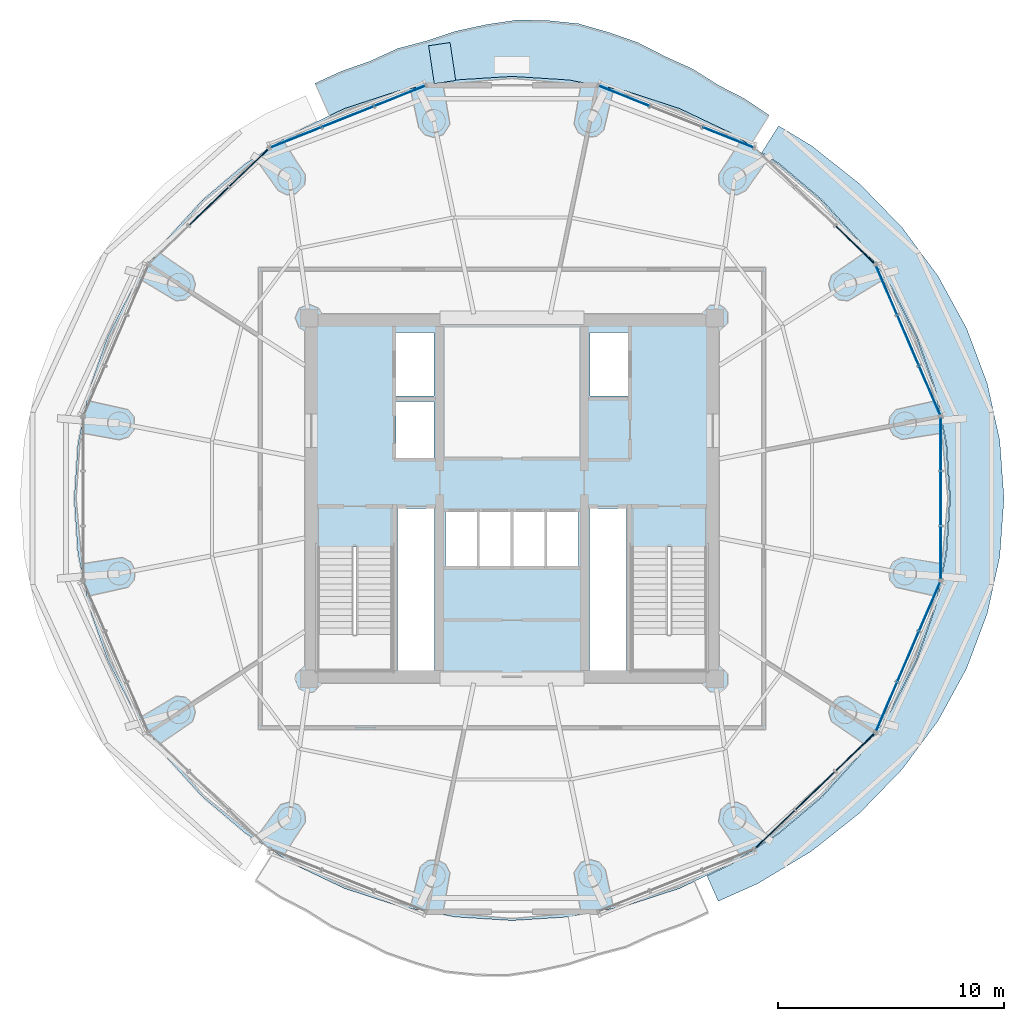
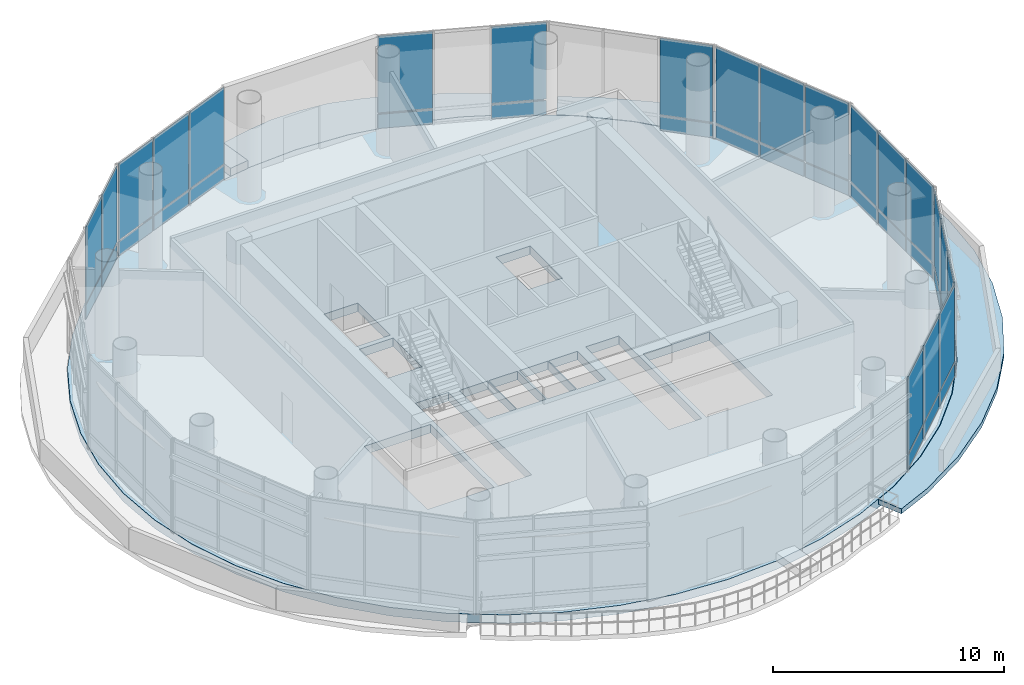
# One storey, part 15 of 22: 40 plates, 4 slabs, 8 elements without a shape of their own.
"""IFC4 building model written with IfcOpenShell, lengths in metres."""

from ifc_helpers import new_model, si_unit, direction, frame, origin, origin_2d, place, context, subcontext, project, spatial, polyline, rectangle, outline, extrude, source, transform, mapped, material, layer, layer_set, type_object, element, aggregate, save


model = new_model("IFC4")

# Units and contexts
model_context = context("Model", 3, precision=1e-05, world=origin(), true_north=direction((-0.2419218956, 0.970295726276)))
body_context = subcontext(model_context, "Body", "Model", "MODEL_VIEW")
ifc_project = project(units=[si_unit("LENGTHUNIT", "METRE"), si_unit("AREAUNIT", "SQUARE_METRE"), si_unit("VOLUMEUNIT", "CUBIC_METRE"), si_unit("PLANEANGLEUNIT", "RADIAN"), si_unit("MASSUNIT", "GRAM", prefix="KILO")], contexts=[model_context])

# Site, building, storey
site_placement = place(None, origin())
site = spatial("IfcSite", under=ifc_project, at=site_placement, CompositionType="ELEMENT")
building_placement = place(site_placement, origin())
building = spatial("IfcBuilding", under=site, at=building_placement, Name="Cobrevalo Terracotta Tower", CompositionType="ELEMENT")
storey_placement = place(building_placement, frame((0.0, 0.0, 243.0)))
storey = spatial("IfcBuildingStorey", under=building, at=storey_placement, Name="L64", CompositionType="ELEMENT", Elevation=243.0)

# Slabs
ifc_material_1 = material(Name="Concrete C45", Category="concrete")
ifc_layer_1 = layer(ifc_material_1, 0.235107421875)
ifc_layer_set_1 = layer_set([ifc_layer_1], Name="Concrete C45")
slab_type_1 = type_object("IfcSlabType", Name="Sky-terrace & stepped lobe balcony slab 235 mm", PredefinedType="FLOOR", material=ifc_layer_set_1)
slab_1_placement = place(storey_placement, frame((0.0, 0.0, -0.235107421875)))
element("IfcSlab", 1, at=slab_1_placement, inside=storey, type_object=slab_type_1, Name="L64 spiralling arc balcony slab lobe 1", PredefinedType="FLOOR", context=body_context, shape_type="SweptSolid", body=[
    extrude(outline(polyline([(49.3974609375, 43.778076171875), (48.31201171875, 44.509521484375), (47.1435546875, 45.111572265625), (46.01416015625, 45.82666015625), (44.79541015625, 46.37890625), (43.576416015625, 47.001708984375), (42.284423828125, 47.451904296875), (40.95947265625, 47.834228515625), (39.592041015625, 47.977783203125), (38.216796875, 48.00048828125), (36.853271484375, 47.79736328125), (35.514404296875, 47.50537109375), (34.21923828125, 47.077392578125), (32.927001953125, 46.734619140625), (31.709228515625, 46.173828125), (30.466552734375, 45.73974609375), (29.274169921875, 45.1953125), (29.909423828125, 43.761962890625), (30.5751953125, 44.078369140625), (32.978271484375, 44.86474609375), (35.467529296875, 45.342041015625), (38.0, 45.501953125), (40.532470703125, 45.342041015625), (43.021728515625, 44.86474609375), (45.4248046875, 44.078369140625), (47.700927734375, 42.996337890625), (48.56005859375, 42.443115234375), (49.3974609375, 43.778076171875)])), origin(), (0.0, 0.0, 1.0), 0.235107421875),
])
ifc_material_2 = material(Name="Concrete C55", Category="concrete")
ifc_layer_2 = layer(ifc_material_2, 0.449951171875)
ifc_layer_set_2 = layer_set([ifc_layer_2], Name="Concrete C55")
slab_type_2 = type_object("IfcSlabType", Name="Structural transfer deck slab 450 mm", PredefinedType="FLOOR", material=ifc_layer_set_2)
slab_2_placement = place(storey_placement, frame((0.0, 0.0, -0.449951171875)))
element("IfcSlab", 2, at=slab_2_placement, inside=storey, type_object=slab_type_2, Name="L64 indoor elliptical floor slab", PredefinedType="FLOOR", context=body_context, shape_type="SweptSolid", body=[
    extrude(outline(polyline([(57.234130859375, 24.359130859375), (56.739013671875, 21.9599609375), (55.92333984375, 19.643798828125), (54.80078125, 17.449951171875), (53.39111328125, 15.416259765625), (51.7177734375, 13.5771484375), (49.81005859375, 11.96435546875), (47.699951171875, 10.605224609375), (45.424072265625, 9.5234375), (43.02099609375, 8.7373046875), (40.5322265625, 8.260009765625), (38.0, 8.10009765625), (35.4677734375, 8.260009765625), (32.97900390625, 8.7373046875), (30.575927734375, 9.5234375), (28.300048828125, 10.605224609375), (26.18994140625, 11.96435546875), (24.2822265625, 13.5771484375), (22.60888671875, 15.416259765625), (21.19921875, 17.449951171875), (20.07666015625, 19.643798828125), (19.260986328125, 21.9599609375), (18.765869140625, 24.359130859375), (18.60009765625, 26.800048828125), (18.765869140625, 29.24072265625), (19.260986328125, 31.639892578125), (20.07666015625, 33.956298828125), (21.19921875, 36.14990234375), (22.60888671875, 38.183837890625), (24.2822265625, 40.02294921875), (26.18994140625, 41.6357421875), (28.300048828125, 42.99462890625), (30.575927734375, 44.07666015625), (32.97900390625, 44.86279296875), (35.4677734375, 45.340087890625), (38.0, 45.5), (40.5322265625, 45.340087890625), (43.02099609375, 44.86279296875), (45.424072265625, 44.07666015625), (47.699951171875, 42.99462890625), (49.81005859375, 41.6357421875), (51.7177734375, 40.02294921875), (53.39111328125, 38.183837890625), (54.80078125, 36.14990234375), (55.92333984375, 33.956298828125), (56.739013671875, 31.639892578125), (57.234130859375, 29.24072265625), (57.39990234375, 26.800048828125), (57.234130859375, 24.359130859375)]), holes=[polyline([(32.695068359375, 19.175048828125), (32.695068359375, 24.659912109375), (29.375, 24.659912109375), (29.375, 19.175048828125), (32.695068359375, 19.175048828125)]), polyline([(34.574951171875, 26.360107421875), (32.919921875, 26.360107421875), (32.919921875, 19.175048828125), (34.574951171875, 19.175048828125), (34.574951171875, 26.360107421875)]), polyline([(36.47998046875, 26.25), (35.050048828125, 26.25), (35.050048828125, 23.800048828125), (36.47998046875, 23.800048828125), (36.47998046875, 26.25)]), polyline([(37.9599609375, 23.800048828125), (37.9599609375, 26.25), (36.530029296875, 26.25), (36.530029296875, 23.800048828125), (37.9599609375, 23.800048828125)]), polyline([(34.550048828125, 28.60009765625), (34.550048828125, 31.10009765625), (32.85009765625, 31.10009765625), (32.85009765625, 28.60009765625), (34.550048828125, 28.60009765625)]), polyline([(34.550048828125, 34.14990234375), (32.85009765625, 34.14990234375), (32.85009765625, 31.35009765625), (34.550048828125, 31.35009765625), (34.550048828125, 34.14990234375)]), polyline([(43.304931640625, 19.175048828125), (46.625, 19.175048828125), (46.625, 24.659912109375), (43.304931640625, 24.659912109375), (43.304931640625, 19.175048828125)]), polyline([(43.080078125, 19.175048828125), (43.080078125, 26.360107421875), (41.425048828125, 26.360107421875), (41.425048828125, 19.175048828125), (43.080078125, 19.175048828125)]), polyline([(39.469970703125, 26.25), (38.0400390625, 26.25), (38.0400390625, 23.800048828125), (39.469970703125, 23.800048828125), (39.469970703125, 26.25)]), polyline([(40.949951171875, 23.800048828125), (40.949951171875, 26.25), (39.52001953125, 26.25), (39.52001953125, 23.800048828125), (40.949951171875, 23.800048828125)]), polyline([(43.14990234375, 31.35009765625), (43.14990234375, 34.14990234375), (41.449951171875, 34.14990234375), (41.449951171875, 31.35009765625), (43.14990234375, 31.35009765625)])]), origin(), (0.0, 0.0, 1.0), 0.449951171875),
])
ifc_material_3 = material(Name="Precast concrete C45", Category="concrete")
ifc_layer_3 = layer(ifc_material_3, 0.419921875)
ifc_layer_set_3 = layer_set([ifc_layer_3], Name="Precast concrete C45")
slab_type_3 = type_object("IfcSlabType", Name="Structural tree planter trough base 420 mm", PredefinedType="USERDEFINED", material=ifc_layer_set_3)
slab_3_placement = place(storey_placement, origin())
element("IfcSlab", 3, at=slab_3_placement, inside=storey, type_object=slab_type_3, Name="L64 structural tree planter trough 1", ObjectType="PLANTER", PredefinedType="USERDEFINED", context=body_context, shape_type="SweptSolid", body=[
    extrude(outline(polyline([(35.5068359375, 45.320556640625), (35.255615234375, 47.001708984375), (34.30615234375, 46.85986328125), (34.557373046875, 45.1787109375), (35.5068359375, 45.320556640625)])), origin(), (0.0, 0.0, 1.0), 0.419921875),
])
ifc_layer_4 = layer(ifc_material_1, 0.260009765625)
ifc_layer_set_4 = layer_set([ifc_layer_4], Name="Concrete C45")
slab_type_4 = type_object("IfcSlabType", Name="Zone setback structural roof slab 260 mm", PredefinedType="ROOF", material=ifc_layer_set_4)
slab_4_placement = place(storey_placement, frame((0.0, 0.0, -0.260009765625)))
element("IfcSlab", 4, at=slab_4_placement, inside=storey, type_object=slab_type_4, Name="L64 zone setback roof collar slab 1", PredefinedType="ROOF", context=body_context, shape_type="SweptSolid", body=[
    extrude(outline(polyline([(59.05712890625, 21.701171875), (58.140625, 19.26123046875), (56.87939453125, 16.949951171875), (55.295166015625, 14.807373046875), (53.4150390625, 12.8701171875), (51.27099609375, 11.1708984375), (48.89990234375, 9.7392578125), (47.138427734375, 8.954345703125), (46.639892578125, 10.079345703125), (47.7099609375, 10.587890625), (49.822265625, 11.948486328125), (51.73193359375, 13.56298828125), (53.406982421875, 15.404052734375), (54.818115234375, 17.43994140625), (55.941650390625, 19.63623046875), (56.75830078125, 21.954833984375), (57.25390625, 24.3564453125), (57.419921875, 26.800048828125), (57.25390625, 29.243408203125), (56.75830078125, 31.64501953125), (55.941650390625, 33.9638671875), (54.818115234375, 36.159912109375), (53.406982421875, 38.196044921875), (51.73193359375, 40.037109375), (49.822265625, 41.651611328125), (49.07421875, 42.13330078125), (49.81201171875, 43.31005859375), (51.27099609375, 42.428955078125), (53.4150390625, 40.72998046875), (55.295166015625, 38.79248046875), (56.87939453125, 36.64990234375), (58.140625, 34.3388671875), (59.05712890625, 31.898681640625), (59.613525390625, 29.371337890625), (59.800048828125, 26.800048828125), (59.613525390625, 24.228515625), (59.05712890625, 21.701171875)])), origin(), (0.0, 0.0, 1.0), 0.260009765625),
])

# Curtain wall, plates
ifc_material_4 = material(Name="Anodized aluminium", Category="aluminium")
curtain_wall_type = type_object("IfcCurtainWallType", Name="Double-height sky-lobby panoramic curtain wall CW-SK", PredefinedType="NOTDEFINED", material=ifc_material_4)
curtain_wall_1_placement = place(storey_placement, origin())
curtain_wall_1 = element("IfcCurtainWall", 5, at=curtain_wall_1_placement, inside=storey, type_object=curtain_wall_type, Name="L64 curtain wall CW-SK-L64-S01", PredefinedType="NOTDEFINED")
ifc_material_5 = material(Name="Terracotta-faced insulated spandrel", Category="masonry")
ifc_layer_5 = layer(ifc_material_5, 0.044921875)
ifc_layer_set_5 = layer_set([ifc_layer_5], Name="Terracotta-faced insulated spandrel")
plate_type_1 = type_object("IfcPlateType", Name="Insulated terracotta-faced spandrel cassette 45 mm", PredefinedType="CURTAIN_PANEL", material=ifc_layer_set_5)
shared_shape_1 = source(origin(), body_context, "Body", "SweptSolid", [
    extrude(rectangle(XDim=2.32177734375, YDim=0.044921875, at=origin_2d()), origin(), (0.0, 0.0, 1.0), 0.739990234375),
])
plate_1_placement = place(storey_placement, frame((56.5078125, 31.58251953125, 0.0400390625), z_axis=(0.0, 0.0, 1.0), x_axis=(-0.394828845134, 0.918754691444, 0.0)))
plate_1 = element("IfcPlate", 6, at=plate_1_placement, type_object=plate_type_1, Name="CW-SK-L64-S01 terracotta spandrel panel B01", PredefinedType="CURTAIN_PANEL", context=body_context, shape_type="MappedRepresentation", body=[
    mapped(shared_shape_1, transform((0.0, 0.0, 0.0), scale=1.0)),
])
plate_2_placement = place(storey_placement, frame((54.595458984375, 36.032470703125, 0.0400390625), z_axis=(0.0, 0.0, 1.0), x_axis=(-0.394828845134, 0.918754691444, 0.0)))
plate_2 = element("IfcPlate", 7, at=plate_2_placement, type_object=plate_type_1, Name="CW-SK-L64-S01 terracotta spandrel panel B03", PredefinedType="CURTAIN_PANEL", context=body_context, shape_type="MappedRepresentation", body=[
    mapped(shared_shape_1, transform((0.0, 0.0, 0.0), scale=1.0)),
])

curtain_wall_2_placement = place(storey_placement, origin())
curtain_wall_2 = element("IfcCurtainWall", 8, at=curtain_wall_2_placement, inside=storey, type_object=curtain_wall_type, Name="L64 curtain wall CW-SK-L64-S15", PredefinedType="NOTDEFINED")
plate_3_placement = place(storey_placement, frame((54.595458984375, 17.567626953125, 0.0400390625), z_axis=(0.0, 0.0, 1.0), x_axis=(0.394828845134, 0.918754691444, 0.0)))
plate_3 = element("IfcPlate", 9, at=plate_3_placement, type_object=plate_type_1, Name="CW-SK-L64-S15 terracotta spandrel panel B01", PredefinedType="CURTAIN_PANEL", context=body_context, shape_type="MappedRepresentation", body=[
    mapped(shared_shape_1, transform((0.0, 0.0, 0.0), scale=1.0)),
])
plate_4_placement = place(storey_placement, frame((56.5078125, 22.017578125, 0.0400390625), z_axis=(0.0, 0.0, 1.0), x_axis=(0.394828845134, 0.918754691444, 0.0)))
plate_4 = element("IfcPlate", 10, at=plate_4_placement, type_object=plate_type_1, Name="CW-SK-L64-S15 terracotta spandrel panel B03", PredefinedType="CURTAIN_PANEL", context=body_context, shape_type="MappedRepresentation", body=[
    mapped(shared_shape_1, transform((0.0, 0.0, 0.0), scale=1.0)),
])

# Plate
ifc_material_6 = material(Name="Laminated low-E double glazing", Category="glass")
ifc_layer_6 = layer(ifc_material_6, 0.031982421875)
ifc_layer_set_6 = layer_set([ifc_layer_6], Name="Laminated low-E double glazing")
plate_type_2 = type_object("IfcPlateType", Name="Podium clear acoustic laminated glazing panel 32 mm", PredefinedType="CURTAIN_PANEL", material=ifc_layer_set_6)
shared_shape_2 = source(origin(), body_context, "Body", "SweptSolid", [
    extrude(rectangle(XDim=2.32177734375, YDim=0.035888671875, at=origin_2d()), origin(), (0.0, 0.0, 1.0), 4.0400390625),
])
plate_5_placement = place(storey_placement, frame((56.5078125, 31.58251953125, 0.85986328125), z_axis=(0.0, 0.0, 1.0), x_axis=(-0.394828845134, 0.918754691444, 0.0)))
plate_5 = element("IfcPlate", 11, at=plate_5_placement, type_object=plate_type_2, Name="CW-SK-L64-S01 glazing panel B01", PredefinedType="CURTAIN_PANEL", context=body_context, shape_type="MappedRepresentation", body=[
    mapped(shared_shape_2, transform((0.0, 0.0, 0.0), scale=1.0)),
])

plate_6_placement = place(storey_placement, frame((54.595458984375, 36.032470703125, 0.85986328125), z_axis=(0.0, 0.0, 1.0), x_axis=(-0.394828845134, 0.918754691444, 0.0)))
plate_6 = element("IfcPlate", 12, at=plate_6_placement, type_object=plate_type_2, Name="CW-SK-L64-S01 glazing panel B03", PredefinedType="CURTAIN_PANEL", context=body_context, shape_type="MappedRepresentation", body=[
    mapped(shared_shape_2, transform((0.0, 0.0, 0.0), scale=1.0)),
])

plate_7_placement = place(storey_placement, frame((54.595458984375, 17.567626953125, 0.85986328125), z_axis=(0.0, 0.0, 1.0), x_axis=(0.394828845134, 0.918754691444, 0.0)))
plate_7 = element("IfcPlate", 13, at=plate_7_placement, type_object=plate_type_2, Name="CW-SK-L64-S15 glazing panel B01", PredefinedType="CURTAIN_PANEL", context=body_context, shape_type="MappedRepresentation", body=[
    mapped(shared_shape_2, transform((0.0, 0.0, 0.0), scale=1.0)),
])

plate_8_placement = place(storey_placement, frame((56.5078125, 22.017578125, 0.85986328125), z_axis=(0.0, 0.0, 1.0), x_axis=(0.394828845134, 0.918754691444, 0.0)))
plate_8 = element("IfcPlate", 14, at=plate_8_placement, type_object=plate_type_2, Name="CW-SK-L64-S15 glazing panel B03", PredefinedType="CURTAIN_PANEL", context=body_context, shape_type="MappedRepresentation", body=[
    mapped(shared_shape_2, transform((0.0, 0.0, 0.0), scale=1.0)),
])

shared_shape_3 = source(origin(), body_context, "Body", "SweptSolid", [
    extrude(rectangle(XDim=2.36181640625, YDim=0.044921875, at=origin_2d()), origin(), (0.0, 0.0, 1.0), 0.739990234375),
])
plate_9_placement = place(storey_placement, frame((55.5517578125, 33.807373046875, 0.0400390625), z_axis=(0.0, 0.0, 1.0), x_axis=(-0.394828845134, 0.918754691444, 0.0)))
plate_9 = element("IfcPlate", 15, at=plate_9_placement, type_object=plate_type_1, Name="CW-SK-L64-S01 terracotta spandrel panel B02", PredefinedType="CURTAIN_PANEL", context=body_context, shape_type="MappedRepresentation", body=[
    mapped(shared_shape_3, transform((0.0, 0.0, 0.0), scale=1.0)),
])

plate_10_placement = place(storey_placement, frame((55.5517578125, 19.79248046875, 0.0400390625), z_axis=(0.0, 0.0, 1.0), x_axis=(0.394828845134, 0.918754691444, 0.0)))
plate_10 = element("IfcPlate", 16, at=plate_10_placement, type_object=plate_type_1, Name="CW-SK-L64-S15 terracotta spandrel panel B02", PredefinedType="CURTAIN_PANEL", context=body_context, shape_type="MappedRepresentation", body=[
    mapped(shared_shape_3, transform((0.0, 0.0, 0.0), scale=1.0)),
])

shared_shape_4 = source(origin(), body_context, "Body", "SweptSolid", [
    extrude(rectangle(XDim=2.36181640625, YDim=0.035888671875, at=origin_2d()), origin(), (0.0, 0.0, 1.0), 4.0400390625),
])
plate_11_placement = place(storey_placement, frame((55.5517578125, 33.807373046875, 0.85986328125), z_axis=(0.0, 0.0, 1.0), x_axis=(-0.394828845134, 0.918754691444, 0.0)))
plate_11 = element("IfcPlate", 17, at=plate_11_placement, type_object=plate_type_2, Name="CW-SK-L64-S01 glazing panel B02", PredefinedType="CURTAIN_PANEL", context=body_context, shape_type="MappedRepresentation", body=[
    mapped(shared_shape_4, transform((0.0, 0.0, 0.0), scale=1.0)),
])

aggregate(curtain_wall_1, [plate_1, plate_5, plate_9, plate_11, plate_2, plate_6])

plate_12_placement = place(storey_placement, frame((55.5517578125, 19.79248046875, 0.85986328125), z_axis=(0.0, 0.0, 1.0), x_axis=(0.394828845134, 0.918754691444, 0.0)))
plate_12 = element("IfcPlate", 18, at=plate_12_placement, type_object=plate_type_2, Name="CW-SK-L64-S15 glazing panel B02", PredefinedType="CURTAIN_PANEL", context=body_context, shape_type="MappedRepresentation", body=[
    mapped(shared_shape_4, transform((0.0, 0.0, 0.0), scale=1.0)),
])

aggregate(curtain_wall_2, [plate_3, plate_7, plate_10, plate_12, plate_4, plate_8])

# Curtain wall, plate
curtain_wall_3_placement = place(storey_placement, origin())
curtain_wall_3 = element("IfcCurtainWall", 19, at=curtain_wall_3_placement, inside=storey, type_object=curtain_wall_type, Name="L64 curtain wall CW-SK-L64-S02", PredefinedType="NOTDEFINED")
shared_shape_5 = source(origin(), body_context, "Body", "SweptSolid", [
    extrude(rectangle(XDim=2.354248046875, YDim=0.044921875, at=origin_2d()), origin(), (0.0, 0.0, 1.0), 0.739990234375),
])
plate_13_placement = place(storey_placement, frame((53.200439453125, 38.044921875, 0.0400390625), z_axis=(0.0, 0.0, 1.0), x_axis=(-0.719996603293, 0.693977586992, 0.0)))
plate_13 = element("IfcPlate", 20, at=plate_13_placement, type_object=plate_type_1, Name="CW-SK-L64-S02 terracotta spandrel panel B01", PredefinedType="CURTAIN_PANEL", context=body_context, shape_type="MappedRepresentation", body=[
    mapped(shared_shape_5, transform((0.0, 0.0, 0.0), scale=1.0)),
])

curtain_wall_4_placement = place(storey_placement, origin())
curtain_wall_4 = element("IfcCurtainWall", 21, at=curtain_wall_4_placement, inside=storey, type_object=curtain_wall_type, Name="L64 curtain wall CW-SK-L64-S06", PredefinedType="NOTDEFINED")
plate_14_placement = place(storey_placement, frame((26.33349609375, 41.451171875, 0.0400390625), z_axis=(0.0, 0.0, 1.0), x_axis=(-0.719996603293, -0.693977586992, 0.0)))
plate_14 = element("IfcPlate", 22, at=plate_14_placement, type_object=plate_type_1, Name="CW-SK-L64-S06 terracotta spandrel panel B01", PredefinedType="CURTAIN_PANEL", context=body_context, shape_type="MappedRepresentation", body=[
    mapped(shared_shape_5, transform((0.0, 0.0, 0.0), scale=1.0)),
])

# Curtain wall, plates
curtain_wall_5_placement = place(storey_placement, origin())
curtain_wall_5 = element("IfcCurtainWall", 23, at=curtain_wall_5_placement, inside=storey, type_object=curtain_wall_type, Name="L64 curtain wall CW-SK-L64-S14", PredefinedType="NOTDEFINED")
plate_15_placement = place(storey_placement, frame((49.66650390625, 12.14892578125, 0.0400390625), z_axis=(0.0, 0.0, 1.0), x_axis=(0.719996603293, 0.693977586992, 0.0)))
plate_15 = element("IfcPlate", 24, at=plate_15_placement, type_object=plate_type_1, Name="CW-SK-L64-S14 terracotta spandrel panel B01", PredefinedType="CURTAIN_PANEL", context=body_context, shape_type="MappedRepresentation", body=[
    mapped(shared_shape_5, transform((0.0, 0.0, 0.0), scale=1.0)),
])
plate_16_placement = place(storey_placement, frame((53.200439453125, 15.55517578125, 0.0400390625), z_axis=(0.0, 0.0, 1.0), x_axis=(0.719996603293, 0.693977586992, 0.0)))
plate_16 = element("IfcPlate", 25, at=plate_16_placement, type_object=plate_type_1, Name="CW-SK-L64-S14 terracotta spandrel panel B03", PredefinedType="CURTAIN_PANEL", context=body_context, shape_type="MappedRepresentation", body=[
    mapped(shared_shape_5, transform((0.0, 0.0, 0.0), scale=1.0)),
])

# Plate
shared_shape_6 = source(origin(), body_context, "Body", "SweptSolid", [
    extrude(rectangle(XDim=2.354248046875, YDim=0.035888671875, at=origin_2d()), origin(), (0.0, 0.0, 1.0), 4.0400390625),
])
plate_17_placement = place(storey_placement, frame((53.200439453125, 38.044921875, 0.85986328125), z_axis=(0.0, 0.0, 1.0), x_axis=(-0.719996603293, 0.693977586992, 0.0)))
plate_17 = element("IfcPlate", 26, at=plate_17_placement, type_object=plate_type_2, Name="CW-SK-L64-S02 glazing panel B01", PredefinedType="CURTAIN_PANEL", context=body_context, shape_type="MappedRepresentation", body=[
    mapped(shared_shape_6, transform((0.0, 0.0, 0.0), scale=1.0)),
])

aggregate(curtain_wall_3, [plate_13, plate_17])

plate_18_placement = place(storey_placement, frame((26.33349609375, 41.451171875, 0.85986328125), z_axis=(0.0, 0.0, 1.0), x_axis=(-0.719996603293, -0.693977586992, 0.0)))
plate_18 = element("IfcPlate", 27, at=plate_18_placement, type_object=plate_type_2, Name="CW-SK-L64-S06 glazing panel B01", PredefinedType="CURTAIN_PANEL", context=body_context, shape_type="MappedRepresentation", body=[
    mapped(shared_shape_6, transform((0.0, 0.0, 0.0), scale=1.0)),
])

plate_19_placement = place(storey_placement, frame((49.66650390625, 12.14892578125, 0.85986328125), z_axis=(0.0, 0.0, 1.0), x_axis=(0.719996603293, 0.693977586992, 0.0)))
plate_19 = element("IfcPlate", 28, at=plate_19_placement, type_object=plate_type_2, Name="CW-SK-L64-S14 glazing panel B01", PredefinedType="CURTAIN_PANEL", context=body_context, shape_type="MappedRepresentation", body=[
    mapped(shared_shape_6, transform((0.0, 0.0, 0.0), scale=1.0)),
])

plate_20_placement = place(storey_placement, frame((53.200439453125, 15.55517578125, 0.85986328125), z_axis=(0.0, 0.0, 1.0), x_axis=(0.719996603293, 0.693977586992, 0.0)))
plate_20 = element("IfcPlate", 29, at=plate_20_placement, type_object=plate_type_2, Name="CW-SK-L64-S14 glazing panel B03", PredefinedType="CURTAIN_PANEL", context=body_context, shape_type="MappedRepresentation", body=[
    mapped(shared_shape_6, transform((0.0, 0.0, 0.0), scale=1.0)),
])

shared_shape_7 = source(origin(), body_context, "Body", "SweptSolid", [
    extrude(rectangle(XDim=2.394287109375, YDim=0.044921875, at=origin_2d()), origin(), (0.0, 0.0, 1.0), 0.739990234375),
])
plate_21_placement = place(storey_placement, frame((24.56640625, 39.748046875, 0.0400390625), z_axis=(0.0, 0.0, 1.0), x_axis=(-0.719996603293, -0.693977586992, 0.0)))
plate_21 = element("IfcPlate", 30, at=plate_21_placement, type_object=plate_type_1, Name="CW-SK-L64-S06 terracotta spandrel panel B02", PredefinedType="CURTAIN_PANEL", context=body_context, shape_type="MappedRepresentation", body=[
    mapped(shared_shape_7, transform((0.0, 0.0, 0.0), scale=1.0)),
])

plate_22_placement = place(storey_placement, frame((51.43359375, 13.85205078125, 0.0400390625), z_axis=(0.0, 0.0, 1.0), x_axis=(0.719996603293, 0.693977586992, 0.0)))
plate_22 = element("IfcPlate", 31, at=plate_22_placement, type_object=plate_type_1, Name="CW-SK-L64-S14 terracotta spandrel panel B02", PredefinedType="CURTAIN_PANEL", context=body_context, shape_type="MappedRepresentation", body=[
    mapped(shared_shape_7, transform((0.0, 0.0, 0.0), scale=1.0)),
])

shared_shape_8 = source(origin(), body_context, "Body", "SweptSolid", [
    extrude(rectangle(XDim=2.394287109375, YDim=0.035888671875, at=origin_2d()), origin(), (0.0, 0.0, 1.0), 4.0400390625),
])
plate_23_placement = place(storey_placement, frame((24.56640625, 39.748046875, 0.85986328125), z_axis=(0.0, 0.0, 1.0), x_axis=(-0.719996603293, -0.693977586992, 0.0)))
plate_23 = element("IfcPlate", 32, at=plate_23_placement, type_object=plate_type_2, Name="CW-SK-L64-S06 glazing panel B02", PredefinedType="CURTAIN_PANEL", context=body_context, shape_type="MappedRepresentation", body=[
    mapped(shared_shape_8, transform((0.0, 0.0, 0.0), scale=1.0)),
])

aggregate(curtain_wall_4, [plate_14, plate_18, plate_21, plate_23])

plate_24_placement = place(storey_placement, frame((51.43359375, 13.85205078125, 0.85986328125), z_axis=(0.0, 0.0, 1.0), x_axis=(0.719996603293, 0.693977586992, 0.0)))
plate_24 = element("IfcPlate", 33, at=plate_24_placement, type_object=plate_type_2, Name="CW-SK-L64-S14 glazing panel B02", PredefinedType="CURTAIN_PANEL", context=body_context, shape_type="MappedRepresentation", body=[
    mapped(shared_shape_8, transform((0.0, 0.0, 0.0), scale=1.0)),
])

aggregate(curtain_wall_5, [plate_15, plate_19, plate_22, plate_24, plate_16, plate_20])

# Curtain wall, plates
curtain_wall_6_placement = place(storey_placement, origin())
curtain_wall_6 = element("IfcCurtainWall", 34, at=curtain_wall_6_placement, inside=storey, type_object=curtain_wall_type, Name="L64 curtain wall CW-SK-L64-S03", PredefinedType="NOTDEFINED")
shared_shape_9 = source(origin(), body_context, "Body", "SweptSolid", [
    extrude(rectangle(XDim=2.385986328125, YDim=0.044921875, at=origin_2d()), origin(), (0.0, 0.0, 1.0), 0.739990234375),
])
plate_25_placement = place(storey_placement, frame((47.5791015625, 42.795654296875, 0.0400390625), z_axis=(0.0, 0.0, 1.0), x_axis=(-0.92871833374, 0.370785998353, 0.0)))
plate_25 = element("IfcPlate", 35, at=plate_25_placement, type_object=plate_type_1, Name="CW-SK-L64-S03 terracotta spandrel panel B01", PredefinedType="CURTAIN_PANEL", context=body_context, shape_type="MappedRepresentation", body=[
    mapped(shared_shape_9, transform((0.0, 0.0, 0.0), scale=1.0)),
])
plate_26_placement = place(storey_placement, frame((42.961181640625, 44.63916015625, 0.0400390625), z_axis=(0.0, 0.0, 1.0), x_axis=(-0.92871833374, 0.370785998353, 0.0)))
plate_26 = element("IfcPlate", 36, at=plate_26_placement, type_object=plate_type_1, Name="CW-SK-L64-S03 terracotta spandrel panel B03", PredefinedType="CURTAIN_PANEL", context=body_context, shape_type="MappedRepresentation", body=[
    mapped(shared_shape_9, transform((0.0, 0.0, 0.0), scale=1.0)),
])

curtain_wall_7_placement = place(storey_placement, origin())
curtain_wall_7 = element("IfcCurtainWall", 37, at=curtain_wall_7_placement, inside=storey, type_object=curtain_wall_type, Name="L64 curtain wall CW-SK-L64-S05", PredefinedType="NOTDEFINED")
plate_27_placement = place(storey_placement, frame((33.038818359375, 44.63916015625, 0.0400390625), z_axis=(0.0, 0.0, 1.0), x_axis=(-0.92871833374, -0.370785998353, 0.0)))
plate_27 = element("IfcPlate", 38, at=plate_27_placement, type_object=plate_type_1, Name="CW-SK-L64-S05 terracotta spandrel panel B01", PredefinedType="CURTAIN_PANEL", context=body_context, shape_type="MappedRepresentation", body=[
    mapped(shared_shape_9, transform((0.0, 0.0, 0.0), scale=1.0)),
])
plate_28_placement = place(storey_placement, frame((28.4208984375, 42.795654296875, 0.0400390625), z_axis=(0.0, 0.0, 1.0), x_axis=(-0.92871833374, -0.370785998353, 0.0)))
plate_28 = element("IfcPlate", 39, at=plate_28_placement, type_object=plate_type_1, Name="CW-SK-L64-S05 terracotta spandrel panel B03", PredefinedType="CURTAIN_PANEL", context=body_context, shape_type="MappedRepresentation", body=[
    mapped(shared_shape_9, transform((0.0, 0.0, 0.0), scale=1.0)),
])

# Plate
shared_shape_10 = source(origin(), body_context, "Body", "SweptSolid", [
    extrude(rectangle(XDim=2.385986328125, YDim=0.035888671875, at=origin_2d()), origin(), (0.0, 0.0, 1.0), 4.0400390625),
])
plate_29_placement = place(storey_placement, frame((47.5791015625, 42.795654296875, 0.85986328125), z_axis=(0.0, 0.0, 1.0), x_axis=(-0.92871833374, 0.370785998353, 0.0)))
plate_29 = element("IfcPlate", 40, at=plate_29_placement, type_object=plate_type_2, Name="CW-SK-L64-S03 glazing panel B01", PredefinedType="CURTAIN_PANEL", context=body_context, shape_type="MappedRepresentation", body=[
    mapped(shared_shape_10, transform((0.0, 0.0, 0.0), scale=1.0)),
])

plate_30_placement = place(storey_placement, frame((42.961181640625, 44.63916015625, 0.85986328125), z_axis=(0.0, 0.0, 1.0), x_axis=(-0.92871833374, 0.370785998353, 0.0)))
plate_30 = element("IfcPlate", 41, at=plate_30_placement, type_object=plate_type_2, Name="CW-SK-L64-S03 glazing panel B03", PredefinedType="CURTAIN_PANEL", context=body_context, shape_type="MappedRepresentation", body=[
    mapped(shared_shape_10, transform((0.0, 0.0, 0.0), scale=1.0)),
])

aggregate(curtain_wall_6, [plate_25, plate_29, plate_26, plate_30])

plate_31_placement = place(storey_placement, frame((33.038818359375, 44.63916015625, 0.85986328125), z_axis=(0.0, 0.0, 1.0), x_axis=(-0.92871833374, -0.370785998353, 0.0)))
plate_31 = element("IfcPlate", 42, at=plate_31_placement, type_object=plate_type_2, Name="CW-SK-L64-S05 glazing panel B01", PredefinedType="CURTAIN_PANEL", context=body_context, shape_type="MappedRepresentation", body=[
    mapped(shared_shape_10, transform((0.0, 0.0, 0.0), scale=1.0)),
])

plate_32_placement = place(storey_placement, frame((28.4208984375, 42.795654296875, 0.85986328125), z_axis=(0.0, 0.0, 1.0), x_axis=(-0.92871833374, -0.370785998353, 0.0)))
plate_32 = element("IfcPlate", 43, at=plate_32_placement, type_object=plate_type_2, Name="CW-SK-L64-S05 glazing panel B03", PredefinedType="CURTAIN_PANEL", context=body_context, shape_type="MappedRepresentation", body=[
    mapped(shared_shape_10, transform((0.0, 0.0, 0.0), scale=1.0)),
])

shared_shape_11 = source(origin(), body_context, "Body", "SweptSolid", [
    extrude(rectangle(XDim=2.426025390625, YDim=0.044921875, at=origin_2d()), origin(), (0.0, 0.0, 1.0), 0.739990234375),
])
plate_33_placement = place(storey_placement, frame((30.729736328125, 43.71728515625, 0.0400390625), z_axis=(0.0, 0.0, 1.0), x_axis=(-0.92871833374, -0.370785998353, 0.0)))
plate_33 = element("IfcPlate", 44, at=plate_33_placement, type_object=plate_type_1, Name="CW-SK-L64-S05 terracotta spandrel panel B02", PredefinedType="CURTAIN_PANEL", context=body_context, shape_type="MappedRepresentation", body=[
    mapped(shared_shape_11, transform((0.0, 0.0, 0.0), scale=1.0)),
])

shared_shape_12 = source(origin(), body_context, "Body", "SweptSolid", [
    extrude(rectangle(XDim=2.426025390625, YDim=0.035888671875, at=origin_2d()), origin(), (0.0, 0.0, 1.0), 4.0400390625),
])
plate_34_placement = place(storey_placement, frame((30.729736328125, 43.71728515625, 0.85986328125), z_axis=(0.0, 0.0, 1.0), x_axis=(-0.92871833374, -0.370785998353, 0.0)))
plate_34 = element("IfcPlate", 45, at=plate_34_placement, type_object=plate_type_2, Name="CW-SK-L64-S05 glazing panel B02", PredefinedType="CURTAIN_PANEL", context=body_context, shape_type="MappedRepresentation", body=[
    mapped(shared_shape_12, transform((0.0, 0.0, 0.0), scale=1.0)),
])

aggregate(curtain_wall_7, [plate_27, plate_31, plate_33, plate_34, plate_28, plate_32])

# Curtain wall, plates
curtain_wall_8_placement = place(storey_placement, origin())
curtain_wall_8 = element("IfcCurtainWall", 46, at=curtain_wall_8_placement, inside=storey, type_object=curtain_wall_type, Name="L64 curtain wall CW-SK-L64-S16", PredefinedType="NOTDEFINED")
shared_shape_13 = source(origin(), body_context, "Body", "SweptSolid", [
    extrude(rectangle(XDim=2.30810546875, YDim=0.044921875, at=origin_2d()), origin(), (0.0, 0.0, 1.0), 0.739990234375),
])
plate_35_placement = place(storey_placement, frame((56.997802734375, 24.391845703125, 0.0400390625), z_axis=(0.0, 0.0, 1.0), x_axis=(0.0, 1.0, 0.0)))
plate_35 = element("IfcPlate", 47, at=plate_35_placement, type_object=plate_type_1, Name="CW-SK-L64-S16 terracotta spandrel panel B01", PredefinedType="CURTAIN_PANEL", context=body_context, shape_type="MappedRepresentation", body=[
    mapped(shared_shape_13, transform((0.0, 0.0, 0.0), scale=1.0)),
])
plate_36_placement = place(storey_placement, frame((56.997802734375, 29.208251953125, 0.0400390625), z_axis=(0.0, 0.0, 1.0), x_axis=(0.0, 1.0, 0.0)))
plate_36 = element("IfcPlate", 48, at=plate_36_placement, type_object=plate_type_1, Name="CW-SK-L64-S16 terracotta spandrel panel B03", PredefinedType="CURTAIN_PANEL", context=body_context, shape_type="MappedRepresentation", body=[
    mapped(shared_shape_13, transform((0.0, 0.0, 0.0), scale=1.0)),
])
shared_shape_14 = source(origin(), body_context, "Body", "SweptSolid", [
    extrude(rectangle(XDim=2.30810546875, YDim=0.035888671875, at=origin_2d()), origin(), (0.0, 0.0, 1.0), 4.0400390625),
])
plate_37_placement = place(storey_placement, frame((56.997802734375, 24.391845703125, 0.85986328125), z_axis=(0.0, 0.0, 1.0), x_axis=(0.0, 1.0, 0.0)))
plate_37 = element("IfcPlate", 49, at=plate_37_placement, type_object=plate_type_2, Name="CW-SK-L64-S16 glazing panel B01", PredefinedType="CURTAIN_PANEL", context=body_context, shape_type="MappedRepresentation", body=[
    mapped(shared_shape_14, transform((0.0, 0.0, 0.0), scale=1.0)),
])
plate_38_placement = place(storey_placement, frame((56.997802734375, 29.208251953125, 0.85986328125), z_axis=(0.0, 0.0, 1.0), x_axis=(0.0, 1.0, 0.0)))
plate_38 = element("IfcPlate", 50, at=plate_38_placement, type_object=plate_type_2, Name="CW-SK-L64-S16 glazing panel B03", PredefinedType="CURTAIN_PANEL", context=body_context, shape_type="MappedRepresentation", body=[
    mapped(shared_shape_14, transform((0.0, 0.0, 0.0), scale=1.0)),
])
shared_shape_15 = source(origin(), body_context, "Body", "SweptSolid", [
    extrude(rectangle(XDim=2.34814453125, YDim=0.044921875, at=origin_2d()), origin(), (0.0, 0.0, 1.0), 0.739990234375),
])
plate_39_placement = place(storey_placement, frame((56.997802734375, 26.800048828125, 0.0400390625), z_axis=(0.0, 0.0, 1.0), x_axis=(0.0, 1.0, 0.0)))
plate_39 = element("IfcPlate", 51, at=plate_39_placement, type_object=plate_type_1, Name="CW-SK-L64-S16 terracotta spandrel panel B02", PredefinedType="CURTAIN_PANEL", context=body_context, shape_type="MappedRepresentation", body=[
    mapped(shared_shape_15, transform((0.0, 0.0, 0.0), scale=1.0)),
])
shared_shape_16 = source(origin(), body_context, "Body", "SweptSolid", [
    extrude(rectangle(XDim=2.34814453125, YDim=0.035888671875, at=origin_2d()), origin(), (0.0, 0.0, 1.0), 4.0400390625),
])
plate_40_placement = place(storey_placement, frame((56.997802734375, 26.800048828125, 0.85986328125), z_axis=(0.0, 0.0, 1.0), x_axis=(0.0, 1.0, 0.0)))
plate_40 = element("IfcPlate", 52, at=plate_40_placement, type_object=plate_type_2, Name="CW-SK-L64-S16 glazing panel B02", PredefinedType="CURTAIN_PANEL", context=body_context, shape_type="MappedRepresentation", body=[
    mapped(shared_shape_16, transform((0.0, 0.0, 0.0), scale=1.0)),
])
aggregate(curtain_wall_8, [plate_35, plate_37, plate_39, plate_40, plate_36, plate_38])

save(model, "model.ifc")
